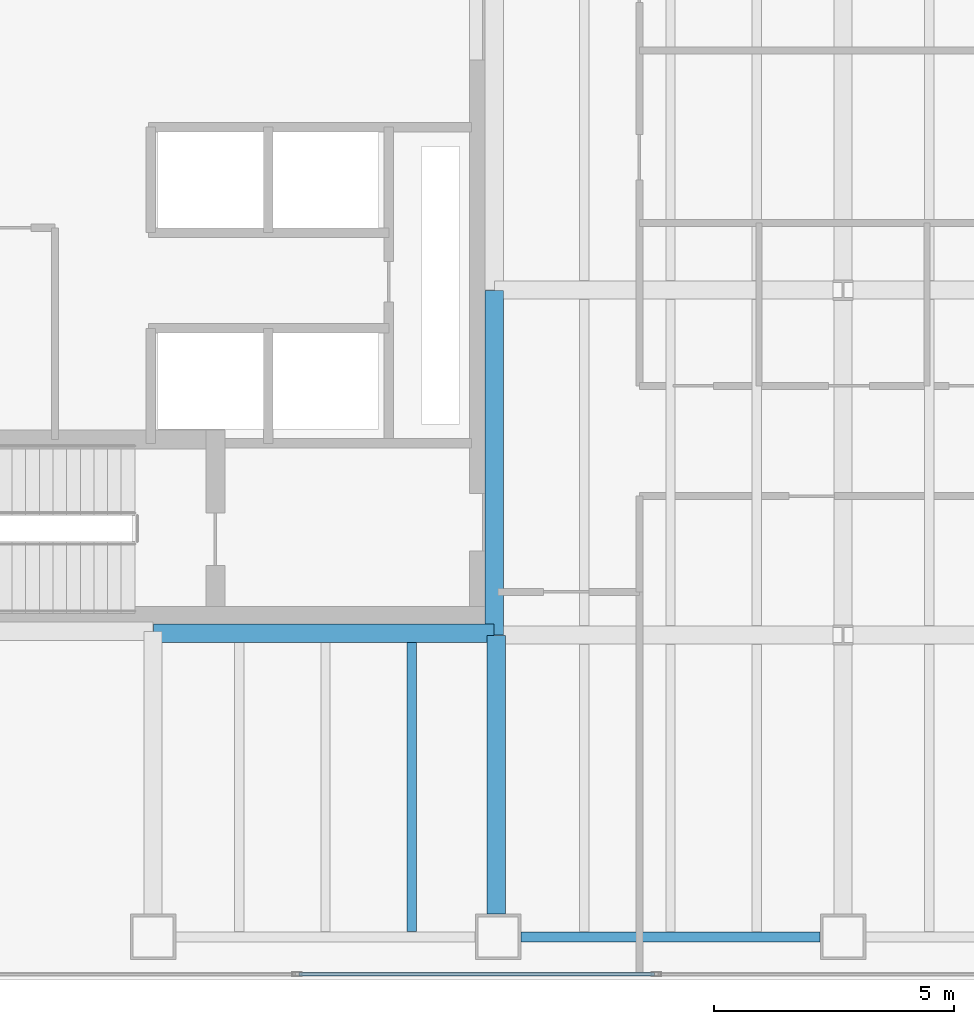
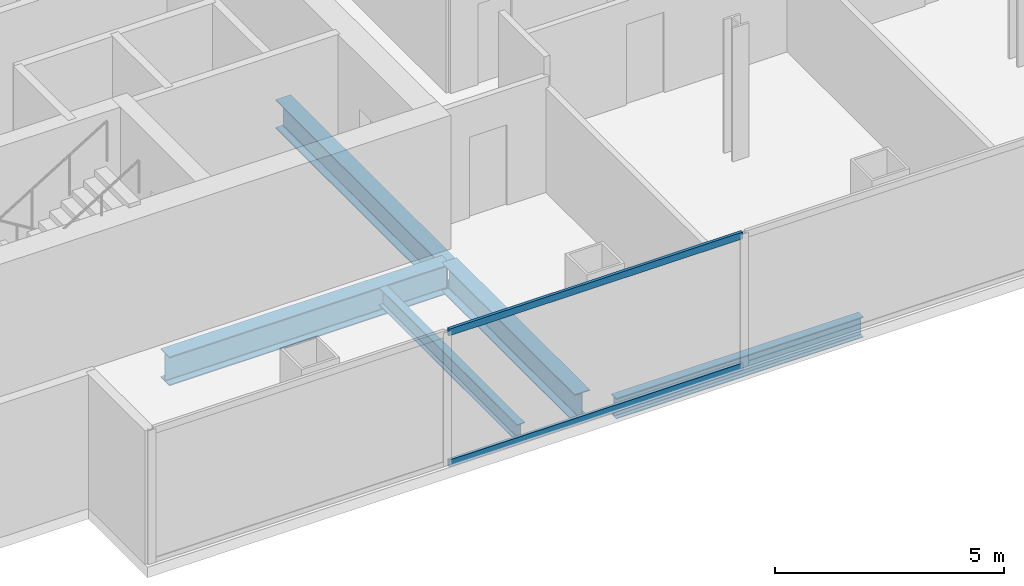
# One storey, part 3 of 24: 5 beams, 2 members, 1 element without a shape of its own.
"""IFC4 building model written with IfcOpenShell, lengths in metres."""

from ifc_helpers import new_model, si_unit, direction, frame, origin, origin_2d, place, context, subcontext, project, spatial, hollow_rectangle, i_section, extrude, material, material_profile, profile_set, type_object, element, aggregate, save


model = new_model("IFC4")

# Units and contexts
model_context = context("Model", 3, precision=1e-05, world=origin(), true_north=direction((0.0, 1.0)))
body_context = subcontext(model_context, "Body", "Model", "MODEL_VIEW")
ifc_project = project(units=[si_unit("LENGTHUNIT", "METRE"), si_unit("AREAUNIT", "SQUARE_METRE"), si_unit("VOLUMEUNIT", "CUBIC_METRE"), si_unit("PLANEANGLEUNIT", "RADIAN"), si_unit("MASSUNIT", "GRAM", prefix="KILO")], contexts=[model_context])

# Site, building, storey
site_placement = place(None, origin())
site = spatial("IfcSite", under=ifc_project, at=site_placement, CompositionType="ELEMENT")
building_placement = place(site_placement, origin())
building = spatial("IfcBuilding", under=site, at=building_placement, Name="Cobrela Telecom Tower", CompositionType="ELEMENT")
storey_placement = place(building_placement, frame((0.0, 0.0, 85.050048828125)))
storey = spatial("IfcBuildingStorey", under=building, at=storey_placement, Name="L21", CompositionType="ELEMENT", Elevation=85.050048828125)

# Beams
ifc_material_1 = material(Name="Steel ASTM A992 Grade 50", Category="steel")
ifc_material_profile_1 = material_profile(ifc_material_1, i_section(OverallWidth=0.381103515625, OverallDepth=0.77197265625, WebThickness=0.0166015625, FlangeThickness=0.027099609375, FilletRadius=0.01904296875, at=origin_2d()), Name="W30X173")
ifc_profile_set_1 = profile_set([ifc_material_profile_1], Name="Steel ASTM A992 Grade 50")
beam_type_1 = type_object("IfcBeamType", Name="BM-GIRD-04", PredefinedType="USERDEFINED", material=ifc_profile_set_1)
beam_1_placement = place(storey_placement, frame((7.205078125, 7.239990234375, -0.666015625), z_axis=(1.0, 0.0, 0.0), x_axis=(0.0, 1.0, 0.0)))
element("IfcBeam", 1, at=beam_1_placement, inside=storey, type_object=beam_type_1, Name="L21 Primary Girder X07", ObjectType="GIRDER", PredefinedType="USERDEFINED", context=body_context, shape_type="SweptSolid", body=[
    extrude(i_section(OverallWidth=0.381103515625, OverallDepth=0.77197265625, WebThickness=0.0166015625, FlangeThickness=0.027099609375, FilletRadius=0.01904296875, at=origin_2d()), origin(), (0.0, 0.0, 1.0), 7.10986328125),
])
beam_2_placement = place(storey_placement, frame((14.360107421875, 1.3798828125, -0.666015625), z_axis=(0.0, 1.0, 0.0), x_axis=(-1.0, 0.0, 0.0)))
element("IfcBeam", 2, at=beam_2_placement, inside=storey, type_object=beam_type_1, Name="L21 Primary Girder Y34", ObjectType="GIRDER", PredefinedType="USERDEFINED", context=body_context, shape_type="SweptSolid", body=[
    extrude(i_section(OverallWidth=0.381103515625, OverallDepth=0.77197265625, WebThickness=0.0166015625, FlangeThickness=0.027099609375, FilletRadius=0.01904296875, at=origin_2d()), origin(), (0.0, 0.0, 1.0), 5.815185546875),
])
beam_3_placement = place(storey_placement, frame((14.320068359375, 7.205078125, -0.666015625), z_axis=(0.0, 1.0, 0.0), x_axis=(-1.0, 0.0, 0.0)))
element("IfcBeam", 3, at=beam_3_placement, inside=storey, type_object=beam_type_1, Name="L21 Primary Girder Y35", ObjectType="GIRDER", PredefinedType="USERDEFINED", context=body_context, shape_type="SweptSolid", body=[
    extrude(i_section(OverallWidth=0.381103515625, OverallDepth=0.77197265625, WebThickness=0.0166015625, FlangeThickness=0.027099609375, FilletRadius=0.01904296875, at=origin_2d()), origin(), (0.0, 0.0, 1.0), 7.18994140625),
])
ifc_material_profile_2 = material_profile(ifc_material_1, i_section(OverallWidth=0.193115234375, OverallDepth=0.467041015625, WebThickness=0.011474609375, FlangeThickness=0.01904296875, FilletRadius=0.012939453125, at=origin_2d()), Name="W18X65")
ifc_profile_set_2 = profile_set([ifc_material_profile_2], Name="Steel ASTM A992 Grade 50")
beam_type_2 = type_object("IfcBeamType", Name="BM-JOIST-03", PredefinedType="JOIST", material=ifc_profile_set_2)
beam_4_placement = place(storey_placement, frame((12.60009765625, 1.011474609375, -0.513427734375), z_axis=(0.0, 1.0, 0.0), x_axis=(-1.0, 0.0, 0.0)))
element("IfcBeam", 4, at=beam_4_placement, inside=storey, type_object=beam_type_2, Name="L21 Secondary Composite Floor Beam J05", PredefinedType="JOIST", context=body_context, shape_type="SweptSolid", body=[
    extrude(i_section(OverallWidth=0.193115234375, OverallDepth=0.467041015625, WebThickness=0.011474609375, FlangeThickness=0.01904296875, FilletRadius=0.012939453125, at=origin_2d()), origin(), (0.0, 0.0, 1.0), 6.032958984375),
])
ifc_material_profile_3 = material_profile(ifc_material_1, i_section(OverallWidth=0.212890625, OverallDepth=0.549072265625, WebThickness=0.0146484375, FlangeThickness=0.023681640625, FilletRadius=0.013916015625, at=origin_2d()), Name="W21X93")
ifc_profile_set_3 = profile_set([ifc_material_profile_3], Name="Steel ASTM A992 Grade 50")
beam_type_3 = type_object("IfcBeamType", Name="BM-SPAND-03", PredefinedType="SPANDREL", material=ifc_profile_set_3)
beam_5_placement = place(storey_placement, frame((14.8798828125, 0.89990234375, -0.554443359375), z_axis=(1.0, 0.0, 0.0), x_axis=(0.0, 1.0, 0.0)))
element("IfcBeam", 5, at=beam_5_placement, inside=storey, type_object=beam_type_3, Name="L21 Perimeter Spandrel X02", PredefinedType="SPANDREL", context=body_context, shape_type="SweptSolid", body=[
    extrude(i_section(OverallWidth=0.212890625, OverallDepth=0.549072265625, WebThickness=0.0146484375, FlangeThickness=0.023681640625, FilletRadius=0.013916015625, at=origin_2d()), origin(), (0.0, 0.0, 1.0), 6.240234375),
])

# Curtain wall, members
ifc_material_2 = material(Name="Anodized Bronze Aluminium 6063-T6", Category="aluminium")
curtain_wall_type = type_object("IfcCurtainWallType", Name="CW-SYS-DATA", PredefinedType="USERDEFINED", material=ifc_material_2)
curtain_wall_placement = place(storey_placement, origin())
curtain_wall = element("IfcCurtainWall", 6, at=curtain_wall_placement, inside=storey, type_object=curtain_wall_type, Name="L21 Unitised Bronze Curtain Wall 17", ObjectType="UNITISED CURTAIN WALL", PredefinedType="USERDEFINED")
ifc_material_profile_4 = material_profile(ifc_material_2, hollow_rectangle(XDim=0.074951171875, YDim=0.179931640625, WallThickness=0.00390625, at=origin_2d()), Name="ALU 75x180x4")
ifc_profile_set_4 = profile_set([ifc_material_profile_4], Name="Anodized Bronze Aluminium 6063-T6")
member_type = type_object("IfcMemberType", Name="CW-SYS-DATA-TRN", PredefinedType="USERDEFINED", material=ifc_profile_set_4)
member_1_placement = place(storey_placement, frame((17.663330078125, 0.1201171875, 0.037353515625), z_axis=(-1.0, 0.0, 0.0), x_axis=(0.0, -1.0, 0.0)))
member_1 = element("IfcMember", 7, at=member_1_placement, type_object=member_type, Name="CW-DATA transom 5.1", ObjectType="TRANSOM", PredefinedType="USERDEFINED", context=body_context, shape_type="SweptSolid", body=[
    extrude(hollow_rectangle(XDim=0.074951171875, YDim=0.179931640625, WallThickness=0.00390625, at=origin_2d()), origin(), (0.0, 0.0, 1.0), 7.416748046875),
])
member_2_placement = place(storey_placement, frame((17.663330078125, 0.1201171875, 3.532470703125), z_axis=(-1.0, 0.0, 0.0), x_axis=(0.0, -1.0, 0.0)))
member_2 = element("IfcMember", 8, at=member_2_placement, type_object=member_type, Name="CW-DATA transom 5.2", ObjectType="TRANSOM", PredefinedType="USERDEFINED", context=body_context, shape_type="SweptSolid", body=[
    extrude(hollow_rectangle(XDim=0.074951171875, YDim=0.179931640625, WallThickness=0.00390625, at=origin_2d()), origin(), (0.0, 0.0, 1.0), 7.416748046875),
])
aggregate(curtain_wall, [member_1, member_2])

save(model, "model.ifc")
